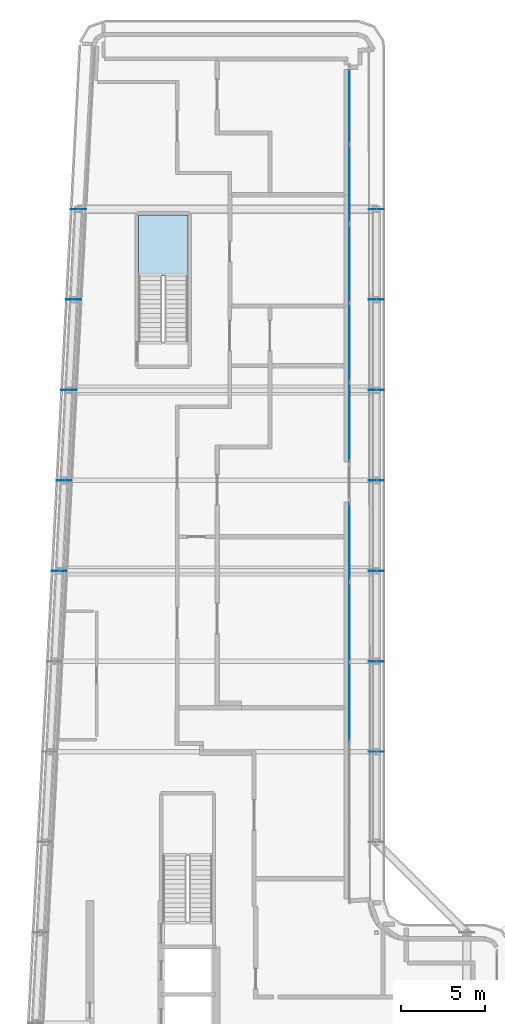
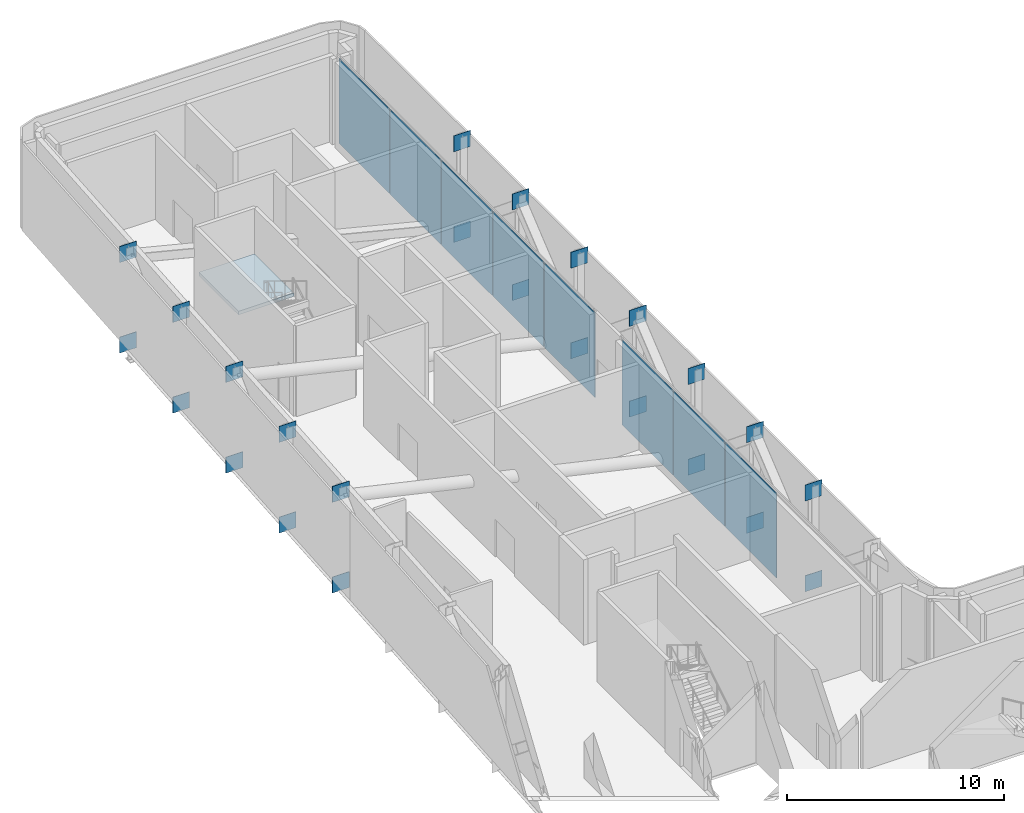
# One storey, part 9 of 18: 32 plates, 1 slab, 3 elements without a shape of their own.
"""IFC4 building model written with IfcOpenShell, lengths in metres."""

from ifc_helpers import new_model, si_unit, direction, frame, origin, origin_2d, place, context, subcontext, project, spatial, polyline, rectangle, outline, extrude, material, layer, layer_set, type_object, element, aggregate, save


model = new_model("IFC4")

# Units and contexts
model_context = context("Model", 3, precision=1e-05, world=origin(), true_north=direction((0.0, 1.0)))
body_context = subcontext(model_context, "Body", "Model", "MODEL_VIEW")
ifc_project = project(units=[si_unit("LENGTHUNIT", "METRE"), si_unit("AREAUNIT", "SQUARE_METRE"), si_unit("VOLUMEUNIT", "CUBIC_METRE"), si_unit("PLANEANGLEUNIT", "RADIAN"), si_unit("MASSUNIT", "GRAM", prefix="KILO")], contexts=[model_context])

# Site, building, storey
site_placement = place(None, origin())
site = spatial("IfcSite", under=ifc_project, at=site_placement, CompositionType="ELEMENT")
building_placement = place(site_placement, origin())
building = spatial("IfcBuilding", under=site, at=building_placement, Name="Kheshtan School and Residences Tower", CompositionType="ELEMENT")
storey_placement = place(building_placement, frame((0.0, 0.0, 333.199951171875)))
storey = spatial("IfcBuildingStorey", under=building, at=storey_placement, Name="L78", CompositionType="ELEMENT", Elevation=333.199951171875)

# Curtain wall, plates
ifc_material_1 = material(Name="Clear low-e glass in thermally broken aluminium frame", Category="aluminium")
ifc_layer_1 = layer(ifc_material_1, 0.25)
ifc_layer_set_1 = layer_set([ifc_layer_1], Name="Curtain wall CW-G")
curtain_wall_type = type_object("IfcCurtainWallType", Name="Curtain wall CW-G", PredefinedType="NOTDEFINED", material=ifc_layer_set_1)
curtain_wall_1_placement = place(storey_placement, origin())
curtain_wall_1 = element("IfcCurtainWall", 1, at=curtain_wall_1_placement, inside=storey, type_object=curtain_wall_type, Name="Curtain wall CWG19", PredefinedType="NOTDEFINED")
ifc_layer_2 = layer(ifc_material_1, 0.0380859375)
ifc_layer_set_2 = layer_set([ifc_layer_2], Name="CW-G glass panel")
plate_type_1 = type_object("IfcPlateType", Name="CW-G glass panel", PredefinedType="CURTAIN_PANEL", material=ifc_layer_set_2)
plate_1_placement = place(storey_placement, frame((46.0, 95.014892578125, 0.0), z_axis=(0.0, 0.0, 1.0), x_axis=(0.0, -1.0, 0.0)))
plate_1 = element("IfcPlate", 2, at=plate_1_placement, type_object=plate_type_1, Name="CWG19 panel 1.1", PredefinedType="CURTAIN_PANEL", context=body_context, shape_type="SweptSolid", body=[
    extrude(rectangle(XDim=4.64990234375, YDim=0.0380859375, at=origin_2d()), origin(), (0.0, 0.0, 1.0), 4.7900390625),
])
ifc_material_2 = material(Name="Insulated terracotta infill panel", Category="masonry")
ifc_layer_3 = layer(ifc_material_2, 0.0380859375)
ifc_layer_set_3 = layer_set([ifc_layer_3], Name="CW-G insulated infill panel")
plate_type_2 = type_object("IfcPlateType", Name="CW-G insulated infill panel", PredefinedType="CURTAIN_PANEL", material=ifc_layer_set_3)
plate_2_placement = place(storey_placement, frame((46.0, 90.2900390625, 0.0), z_axis=(0.0, 0.0, 1.0), x_axis=(0.0, -1.0, 0.0)))
plate_2 = element("IfcPlate", 3, at=plate_2_placement, type_object=plate_type_2, Name="CWG19 infill 2.1", PredefinedType="CURTAIN_PANEL", context=body_context, shape_type="SweptSolid", body=[
    extrude(rectangle(XDim=4.679931640625, YDim=0.0380859375, at=origin_2d()), origin(), (0.0, 0.0, 1.0), 4.7900390625),
])
plate_3_placement = place(storey_placement, frame((46.0, 85.550048828125, 0.0), z_axis=(0.0, 0.0, 1.0), x_axis=(0.0, -1.0, 0.0)))
plate_3 = element("IfcPlate", 4, at=plate_3_placement, type_object=plate_type_2, Name="CWG19 infill 3.1", PredefinedType="CURTAIN_PANEL", context=body_context, shape_type="SweptSolid", body=[
    extrude(rectangle(XDim=4.679931640625, YDim=0.0380859375, at=origin_2d()), origin(), (0.0, 0.0, 1.0), 4.7900390625),
])
plate_4_placement = place(storey_placement, frame((46.0, 80.81005859375, 0.0), z_axis=(0.0, 0.0, 1.0), x_axis=(0.0, -1.0, 0.0)))
plate_4 = element("IfcPlate", 5, at=plate_4_placement, type_object=plate_type_2, Name="CWG19 infill 4.1", PredefinedType="CURTAIN_PANEL", context=body_context, shape_type="SweptSolid", body=[
    extrude(rectangle(XDim=4.679931640625, YDim=0.0380859375, at=origin_2d()), origin(), (0.0, 0.0, 1.0), 4.7900390625),
])
plate_5_placement = place(storey_placement, frame((46.0, 76.0849609375, 0.0), z_axis=(0.0, 0.0, 1.0), x_axis=(0.0, -1.0, 0.0)))
plate_5 = element("IfcPlate", 6, at=plate_5_placement, type_object=plate_type_2, Name="CWG19 infill 5.1", PredefinedType="CURTAIN_PANEL", context=body_context, shape_type="SweptSolid", body=[
    extrude(rectangle(XDim=4.64990234375, YDim=0.0380859375, at=origin_2d()), origin(), (0.0, 0.0, 1.0), 4.7900390625),
])
aggregate(curtain_wall_1, [plate_1, plate_2, plate_3, plate_4, plate_5])

curtain_wall_2_placement = place(storey_placement, origin())
curtain_wall_2 = element("IfcCurtainWall", 7, at=curtain_wall_2_placement, inside=storey, type_object=curtain_wall_type, Name="Curtain wall CWG19a", PredefinedType="NOTDEFINED")
plate_6_placement = place(storey_placement, frame((46.0, 68.89794921875, 0.0), z_axis=(0.0, 0.0, 1.0), x_axis=(0.0, -1.0, 0.0)))
plate_6 = element("IfcPlate", 8, at=plate_6_placement, type_object=plate_type_2, Name="CWG19a infill 1.1", PredefinedType="CURTAIN_PANEL", context=body_context, shape_type="SweptSolid", body=[
    extrude(rectangle(XDim=4.68408203125, YDim=0.0380859375, at=origin_2d()), origin(), (0.0, 0.0, 1.0), 4.7900390625),
])
plate_7_placement = place(storey_placement, frame((46.0, 64.138916015625, 0.0), z_axis=(0.0, 0.0, 1.0), x_axis=(0.0, -1.0, 0.0)))
plate_7 = element("IfcPlate", 9, at=plate_7_placement, type_object=plate_type_2, Name="CWG19a infill 2.1", PredefinedType="CURTAIN_PANEL", context=body_context, shape_type="SweptSolid", body=[
    extrude(rectangle(XDim=4.714111328125, YDim=0.0380859375, at=origin_2d()), origin(), (0.0, 0.0, 1.0), 4.7900390625),
])
plate_8_placement = place(storey_placement, frame((46.0, 59.364990234375, 0.0), z_axis=(0.0, 0.0, 1.0), x_axis=(0.0, -1.0, 0.0)))
plate_8 = element("IfcPlate", 10, at=plate_8_placement, type_object=plate_type_2, Name="CWG19a infill 3.1", PredefinedType="CURTAIN_PANEL", context=body_context, shape_type="SweptSolid", body=[
    extrude(rectangle(XDim=4.714111328125, YDim=0.0380859375, at=origin_2d()), origin(), (0.0, 0.0, 1.0), 4.7900390625),
])
aggregate(curtain_wall_2, [plate_6, plate_7, plate_8])

# Plates
ifc_material_3 = material(Name="Steel ASTM A992 Grade 50", Category="steel")
ifc_layer_4 = layer(ifc_material_3, 0.02490234375)
ifc_layer_set_4 = layer_set([ifc_layer_4], Name="Gusset plate 25 Steel ASTM A992 Grade 50")
plate_type_3 = type_object("IfcPlateType", Name="Gusset plate 25 Steel ASTM A992 Grade 50", PredefinedType="SHEET", material=ifc_layer_set_4)
for number, where, z_axis, x_axis, name in (
    (11, (47.60009765625, 88.800048828125, -0.7998046875), (0.0, 0.0, 1.0), (1.0, 0.0, 0.0), "Gusset plate 1"),
    (12, (47.60009765625, 83.39990234375, 4.300048828125), (0.0, 0.0, 1.0), (1.0, 0.0, 0.0), "Gusset plate 2"),
    (13, (47.60009765625, 83.39990234375, -0.7998046875), (0.0, 0.0, 1.0), (1.0, 0.0, 0.0), "Gusset plate 3"),
    (14, (47.60009765625, 78.0, 4.300048828125), (0.0, 0.0, 1.0), (1.0, 0.0, 0.0), "Gusset plate 4"),
    (15, (47.60009765625, 78.0, -0.7998046875), (0.0, 0.0, 1.0), (1.0, 0.0, 0.0), "Gusset plate 5"),
    (16, (47.60009765625, 72.60009765625, 4.300048828125), (0.0, 0.0, 1.0), (1.0, 0.0, 0.0), "Gusset plate 6"),
    (17, (47.60009765625, 72.60009765625, -0.7998046875), (0.0, 0.0, 1.0), (1.0, 0.0, 0.0), "Gusset plate 7"),
    (18, (47.60009765625, 67.199951171875, 4.300048828125), (0.0, 0.0, 1.0), (1.0, 0.0, 0.0), "Gusset plate 8"),
    (19, (47.60009765625, 67.199951171875, -0.7998046875), (0.0, 0.0, 1.0), (1.0, 0.0, 0.0), "Gusset plate 9"),
    (20, (47.60009765625, 61.800048828125, 4.300048828125), (0.0, 0.0, 1.0), (1.0, 0.0, 0.0), "Gusset plate 10"),
    (21, (47.60009765625, 61.800048828125, -0.7998046875), (0.0, 0.0, 1.0), (1.0, 0.0, 0.0), "Gusset plate 11"),
    (22, (47.60009765625, 56.39990234375, 4.300048828125), (0.0, 0.0, 1.0), (1.0, 0.0, 0.0), "Gusset plate 12"),
    (23, (47.60009765625, 56.39990234375, -0.7998046875), (0.0, 0.0, 1.0), (1.0, 0.0, 0.0), "Gusset plate 13"),
    (24, (28.674072265625, 67.199951171875, 4.300048828125), (0.0, 0.0, 1.0), (1.0, 0.0, 0.0), "Gusset plate 42"),
    (25, (28.674072265625, 67.199951171875, -0.7998046875), (0.0, 0.0, 1.0), (1.0, 0.0, 0.0), "Gusset plate 43"),
    (26, (28.9580078125, 72.60009765625, 4.300048828125), (0.0, 0.0, 1.0), (1.0, 0.0, 0.0), "Gusset plate 44"),
    (27, (28.9580078125, 72.60009765625, -0.7998046875), (0.0, 0.0, 1.0), (1.0, 0.0, 0.0), "Gusset plate 45"),
    (28, (29.242919921875, 78.0, 4.300048828125), (0.0, 0.0, 1.0), (1.0, 0.0, 0.0), "Gusset plate 46"),
    (29, (29.242919921875, 78.0, -0.7998046875), (0.0, 0.0, 1.0), (1.0, 0.0, 0.0), "Gusset plate 47"),
    (30, (29.527099609375, 83.39990234375, 4.300048828125), (0.0, 0.0, 1.0), (1.0, 0.0, 0.0), "Gusset plate 48"),
    (31, (29.527099609375, 83.39990234375, -0.7998046875), (0.0, 0.0, 1.0), (1.0, 0.0, 0.0), "Gusset plate 49"),
    (32, (29.81103515625, 88.800048828125, 4.300048828125), (0.0, 0.0, 1.0), (1.0, 0.0, 0.0), "Gusset plate 50"),
    (33, (29.81103515625, 88.800048828125, -0.7998046875), (0.0, 0.0, 1.0), (1.0, 0.0, 0.0), "Gusset plate 51"),
    (34, (47.60009765625, 88.800048828125, 4.300048828125), (0.0, 0.0, 1.0), (1.0, 0.0, 0.0), "Gusset plate 52"),
):
    element("IfcPlate", number, at=place(storey_placement, frame(where, z_axis=z_axis, x_axis=x_axis)), inside=storey, type_object=plate_type_3, Name=name, PredefinedType="SHEET", context=body_context, shape_type="SweptSolid", body=[
        extrude(rectangle(XDim=0.89990234375, YDim=0.02490234375, at=origin_2d()), origin(), (0.0, 0.0, 1.0), 0.89990234375),
    ])

# Stair, slab
ifc_material_4 = material(Name="Concrete C40/50", Category="concrete")
stair_type = type_object("IfcStairType", Name="Exit stair, half-turn", PredefinedType="HALF_TURN_STAIR", material=ifc_material_4)
stair_placement = place(storey_placement, origin())
stair = element("IfcStair", 35, at=stair_placement, inside=storey, type_object=stair_type, Name="L78 Protected Exit Stair ST3", PredefinedType="HALF_TURN_STAIR")
ifc_layer_5 = layer(ifc_material_4, 0.199951171875)
ifc_layer_set_5 = layer_set([ifc_layer_5], Name="Stair landing 200 Concrete C40/50")
slab_type = type_object("IfcSlabType", Name="Stair landing 200 Concrete C40/50", PredefinedType="LANDING", material=ifc_layer_set_5)
slab_placement = place(storey_placement, frame((0.0, 0.0, 2.35009765625)))
slab = element("IfcSlab", 36, at=slab_placement, type_object=slab_type, Name="ST3 landing 1", PredefinedType="LANDING", context=body_context, shape_type="SweptSolid", body=[
    extrude(outline(polyline([(36.35009765625, 84.820068359375), (36.35009765625, 88.4599609375), (33.39990234375, 88.4599609375), (33.39990234375, 84.820068359375), (36.35009765625, 84.820068359375)])), origin(), (0.0, 0.0, 1.0), 0.199951171875),
])
aggregate(stair, [slab])

save(model, "model.ifc")
